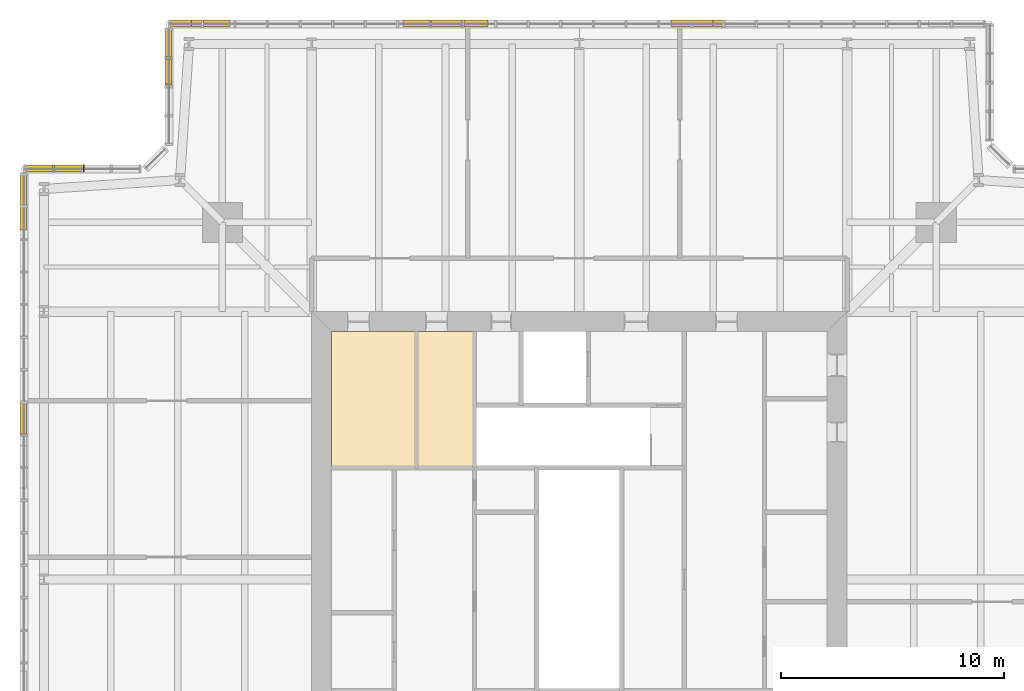
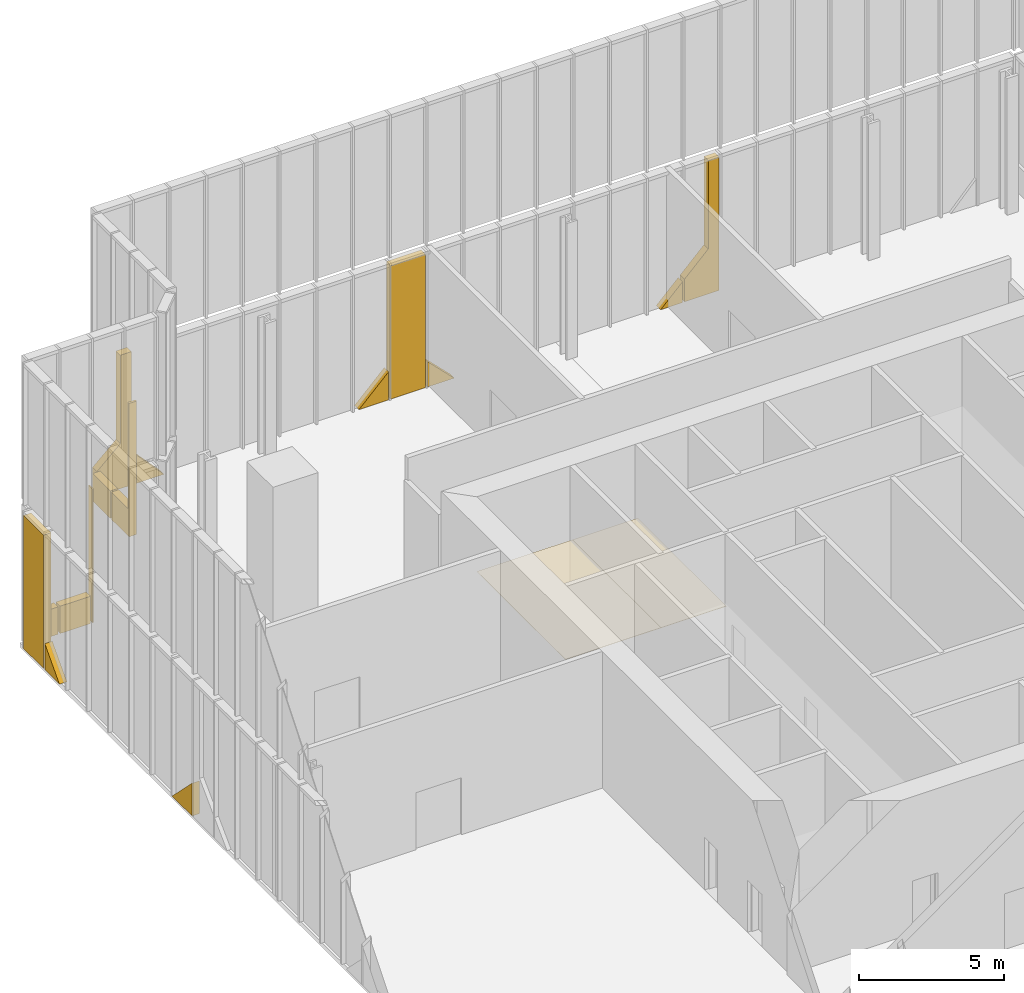
# One storey, part 23 of 25: 17 coverings.
"""IFC4 building model written with IfcOpenShell, lengths in metres."""

from ifc_helpers import new_model, si_unit, direction, frame, origin, place, context, subcontext, project, spatial, polyline, outline, extrude, material, layer, layer_set, type_object, element, save


model = new_model("IFC4")

# Units and contexts
model_context = context("Model", 3, precision=1e-05, world=origin(), true_north=direction((0.0, 1.0)))
body_context = subcontext(model_context, "Body", "Model", "MODEL_VIEW")
ifc_project = project(units=[si_unit("LENGTHUNIT", "METRE"), si_unit("AREAUNIT", "SQUARE_METRE"), si_unit("VOLUMEUNIT", "CUBIC_METRE"), si_unit("PLANEANGLEUNIT", "RADIAN"), si_unit("MASSUNIT", "GRAM", prefix="KILO")], contexts=[model_context])

# Site, building, storey
site_placement = place(None, origin())
site = spatial("IfcSite", under=ifc_project, at=site_placement, CompositionType="ELEMENT")
building_placement = place(site_placement, origin())
building = spatial("IfcBuilding", under=site, at=building_placement, Name="Fenwick Lantern Interchange", CompositionType="ELEMENT")
storey_placement = place(building_placement, frame((0.0, 0.0, 307.800048828125)))
storey = spatial("IfcBuildingStorey", under=building, at=storey_placement, Name="L74", CompositionType="ELEMENT", Elevation=307.800048828125)

# Coverings
ifc_material_1 = material(Name="Granite cladding, warm grey flamed finish, on aluminium carrier frame", Category="masonry")
ifc_layer_1 = layer(ifc_material_1, 0.300048828125)
ifc_layer_set_1 = layer_set([ifc_layer_1], Name="BRACE CASING PANEL 300")
covering_type_1 = type_object("IfcCoveringType", Name="BRACE CASING PANEL 300", PredefinedType="CLADDING", material=ifc_layer_set_1)
covering_1_placement = place(storey_placement, frame((43.39990234375, 49.89990234375, 0.0), z_axis=(0.0, 0.0, 1.0), x_axis=(-1.0, 0.0, 0.0)))
element("IfcCovering", 1, at=covering_1_placement, inside=storey, type_object=covering_type_1, Name="Brace casing 09 bay 08a", PredefinedType="CLADDING", context=body_context, shape_type="SweptSolid", body=[
    extrude(outline(polyline([(11.96630859375, 0.0), (13.34716796875, 0.0), (13.34716796875, 0.9482421875), (12.39990234375, 1.8955078125), (12.39990234375, 5.60986328125), (11.96630859375, 5.60986328125), (11.96630859375, 0.0)])), frame((0.0, 0.125, 0.0), z_axis=(0.0, -1.0, 0.0), x_axis=(1.0, 0.0, 0.0)), (0.0, 0.0, 1.0), 0.300048828125),
])
covering_2_placement = place(storey_placement, frame((43.39990234375, 49.89990234375, 0.0), z_axis=(0.0, 0.0, 1.0), x_axis=(-1.0, 0.0, 0.0)))
element("IfcCovering", 2, at=covering_2_placement, inside=storey, type_object=covering_type_1, Name="Brace casing 09 bay 09a", PredefinedType="CLADDING", context=body_context, shape_type="SweptSolid", body=[
    extrude(outline(polyline([(13.42724609375, 0.0), (14.295654296875, 0.0), (13.42724609375, 0.868408203125), (13.42724609375, 0.0)])), frame((0.0, 0.125, 0.0), z_axis=(0.0, -1.0, 0.0), x_axis=(1.0, 0.0, 0.0)), (0.0, 0.0, 1.0), 0.300048828125),
])
covering_3_placement = place(storey_placement, frame((43.39990234375, 49.89990234375, 0.0), z_axis=(0.0, 0.0, 1.0), x_axis=(-1.0, 0.0, 0.0)))
element("IfcCovering", 3, at=covering_3_placement, inside=storey, type_object=covering_type_1, Name="Brace casing 09 bay 15a", PredefinedType="CLADDING", context=body_context, shape_type="SweptSolid", body=[
    extrude(outline(polyline([(22.50439453125, 0.0), (23.57275390625, 0.0), (23.57275390625, 1.068359375), (22.50439453125, 0.0)])), frame((0.0, 0.125, 0.0), z_axis=(0.0, -1.0, 0.0), x_axis=(1.0, 0.0, 0.0)), (0.0, 0.0, 1.0), 0.300048828125),
])
covering_4_placement = place(storey_placement, frame((43.39990234375, 49.89990234375, 0.0), z_axis=(0.0, 0.0, 1.0), x_axis=(-1.0, 0.0, 0.0)))
element("IfcCovering", 4, at=covering_4_placement, inside=storey, type_object=covering_type_1, Name="Brace casing 09 bay 16a", PredefinedType="CLADDING", context=body_context, shape_type="SweptSolid", body=[
    extrude(outline(polyline([(23.65283203125, 0.0), (25.03369140625, 0.0), (25.03369140625, 5.60986328125), (23.65283203125, 5.60986328125), (23.65283203125, 0.0)])), frame((0.0, 0.125, 0.0), z_axis=(0.0, -1.0, 0.0), x_axis=(1.0, 0.0, 0.0)), (0.0, 0.0, 1.0), 0.300048828125),
])
covering_5_placement = place(storey_placement, frame((43.39990234375, 49.89990234375, 0.0), z_axis=(0.0, 0.0, 1.0), x_axis=(-1.0, 0.0, 0.0)))
element("IfcCovering", 5, at=covering_5_placement, inside=storey, type_object=covering_type_1, Name="Brace casing 09 bay 17a", PredefinedType="CLADDING", context=body_context, shape_type="SweptSolid", body=[
    extrude(outline(polyline([(25.113525390625, 0.0), (26.295654296875, 0.0), (25.113525390625, 1.181884765625), (25.113525390625, 0.0)])), frame((0.0, 0.125, 0.0), z_axis=(0.0, -1.0, 0.0), x_axis=(1.0, 0.0, 0.0)), (0.0, 0.0, 1.0), 0.300048828125),
])
covering_6_placement = place(storey_placement, frame((43.39990234375, 49.89990234375, 0.0), z_axis=(0.0, 0.0, 1.0), x_axis=(-1.0, 0.0, 0.0)))
element("IfcCovering", 6, at=covering_6_placement, inside=storey, type_object=covering_type_1, Name="Brace casing 09 bay 23a", PredefinedType="CLADDING", context=body_context, shape_type="SweptSolid", body=[
    extrude(outline(polyline([(34.053955078125, 0.0), (35.25927734375, 0.0), (35.25927734375, 1.314697265625), (34.053955078125, 0.0)])), frame((0.0, 0.125, 0.0), z_axis=(0.0, -1.0, 0.0), x_axis=(1.0, 0.0, 0.0)), (0.0, 0.0, 1.0), 0.300048828125),
])
covering_7_placement = place(storey_placement, frame((43.39990234375, 49.89990234375, 0.0), z_axis=(0.0, 0.0, 1.0), x_axis=(-1.0, 0.0, 0.0)))
element("IfcCovering", 7, at=covering_7_placement, inside=storey, type_object=covering_type_1, Name="Brace casing 09 bay 24a", PredefinedType="CLADDING", context=body_context, shape_type="SweptSolid", body=[
    extrude(outline(polyline([(35.339111328125, 0.0), (36.719970703125, 0.0), (36.719970703125, 1.0400390625), (35.789306640625, 1.89306640625), (35.789306640625, 5.60986328125), (35.339111328125, 5.60986328125), (35.339111328125, 0.0)])), frame((0.0, 0.125, 0.0), z_axis=(0.0, -1.0, 0.0), x_axis=(1.0, 0.0, 0.0)), (0.0, 0.0, 1.0), 0.300048828125),
])
covering_8_placement = place(storey_placement, frame((6.60009765625, 49.89990234375, 0.0), z_axis=(0.0, 0.0, 1.0), x_axis=(0.0, -1.0, 0.0)))
element("IfcCovering", 8, at=covering_8_placement, inside=storey, type_object=covering_type_1, Name="Brace casing 10 bay 00a", PredefinedType="CLADDING", context=body_context, shape_type="SweptSolid", body=[
    extrude(outline(polyline([(0.280029296875, 0.0), (1.490234375, 0.0), (1.490234375, 1.14990234375), (0.280029296875, 1.14990234375), (0.280029296875, 0.0)])), frame((0.0, 0.125, 0.0), z_axis=(0.0, -1.0, 0.0), x_axis=(1.0, 0.0, 0.0)), (0.0, 0.0, 1.0), 0.300048828125),
])
covering_9_placement = place(storey_placement, frame((6.60009765625, 49.89990234375, 0.0), z_axis=(0.0, 0.0, 1.0), x_axis=(0.0, -1.0, 0.0)))
element("IfcCovering", 9, at=covering_9_placement, inside=storey, type_object=covering_type_1, Name="Brace casing 10 bay 01a", PredefinedType="CLADDING", context=body_context, shape_type="SweptSolid", body=[
    extrude(outline(polyline([(1.5703125, 0.0), (2.78076171875, 0.0), (2.78076171875, 5.60986328125), (2.699951171875, 5.60986328125), (2.699951171875, 1.14990234375), (1.5703125, 1.14990234375), (1.5703125, 0.0)])), frame((0.0, 0.125, 0.0), z_axis=(0.0, -1.0, 0.0), x_axis=(1.0, 0.0, 0.0)), (0.0, 0.0, 1.0), 0.300048828125),
])
covering_10_placement = place(storey_placement, frame((5.54150390625, 43.39990234375, 0.0), z_axis=(0.0, 0.0, 1.0), x_axis=(-1.0, 0.0, 0.0)))
element("IfcCovering", 10, at=covering_10_placement, inside=storey, type_object=covering_type_1, Name="Brace casing 12 bay 01a", PredefinedType="CLADDING", context=body_context, shape_type="SweptSolid", body=[
    extrude(outline(polyline([(2.741455078125, 0.0), (2.78076171875, 0.0), (2.78076171875, 5.60986328125), (2.741455078125, 5.60986328125), (2.741455078125, 0.0)])), frame((0.0, 0.125, 0.0), z_axis=(0.0, -1.0, 0.0), x_axis=(1.0, 0.0, 0.0)), (0.0, 0.0, 1.0), 0.300048828125),
])
covering_11_placement = place(storey_placement, frame((5.54150390625, 43.39990234375, 0.0), z_axis=(0.0, 0.0, 1.0), x_axis=(-1.0, 0.0, 0.0)))
element("IfcCovering", 11, at=covering_11_placement, inside=storey, type_object=covering_type_1, Name="Brace casing 12 bay 02a", PredefinedType="CLADDING", context=body_context, shape_type="SweptSolid", body=[
    extrude(outline(polyline([(2.860595703125, 0.0), (4.071044921875, 0.0), (4.071044921875, 1.14990234375), (2.860595703125, 1.14990234375), (2.860595703125, 0.0)])), frame((0.0, 0.125, 0.0), z_axis=(0.0, -1.0, 0.0), x_axis=(1.0, 0.0, 0.0)), (0.0, 0.0, 1.0), 0.300048828125),
])
covering_12_placement = place(storey_placement, frame((5.54150390625, 43.39990234375, 0.0), z_axis=(0.0, 0.0, 1.0), x_axis=(-1.0, 0.0, 0.0)))
element("IfcCovering", 12, at=covering_12_placement, inside=storey, type_object=covering_type_1, Name="Brace casing 12 bay 03a", PredefinedType="CLADDING", context=body_context, shape_type="SweptSolid", body=[
    extrude(outline(polyline([(4.151123046875, 0.0), (5.361328125, 0.0), (5.361328125, 1.14990234375), (4.151123046875, 1.14990234375), (4.151123046875, 0.0)])), frame((0.0, 0.125, 0.0), z_axis=(0.0, -1.0, 0.0), x_axis=(1.0, 0.0, 0.0)), (0.0, 0.0, 1.0), 0.300048828125),
])
covering_13_placement = place(storey_placement, frame((0.10009765625, 43.39990234375, 0.0), z_axis=(0.0, 0.0, 1.0), x_axis=(0.0, -1.0, 0.0)))
element("IfcCovering", 13, at=covering_13_placement, inside=storey, type_object=covering_type_1, Name="Brace casing 13 bay 00a", PredefinedType="CLADDING", context=body_context, shape_type="SweptSolid", body=[
    extrude(outline(polyline([(0.280029296875, 0.0), (1.660888671875, 0.0), (1.660888671875, 5.60986328125), (0.280029296875, 5.60986328125), (0.280029296875, 0.0)])), frame((0.0, 0.125, 0.0), z_axis=(0.0, -1.0, 0.0), x_axis=(1.0, 0.0, 0.0)), (0.0, 0.0, 1.0), 0.300048828125),
])
covering_14_placement = place(storey_placement, frame((0.10009765625, 43.39990234375, 0.0), z_axis=(0.0, 0.0, 1.0), x_axis=(0.0, -1.0, 0.0)))
element("IfcCovering", 14, at=covering_14_placement, inside=storey, type_object=covering_type_1, Name="Brace casing 13 bay 01a", PredefinedType="CLADDING", context=body_context, shape_type="SweptSolid", body=[
    extrude(outline(polyline([(1.74072265625, 0.0), (2.74609375, 0.0), (1.74072265625, 1.096435546875), (1.74072265625, 0.0)])), frame((0.0, 0.125, 0.0), z_axis=(0.0, -1.0, 0.0), x_axis=(1.0, 0.0, 0.0)), (0.0, 0.0, 1.0), 0.300048828125),
])
covering_15_placement = place(storey_placement, frame((0.10009765625, 43.39990234375, 0.0), z_axis=(0.0, 0.0, 1.0), x_axis=(0.0, -1.0, 0.0)))
element("IfcCovering", 15, at=covering_15_placement, inside=storey, type_object=covering_type_1, Name="Brace casing 13 bay 07a", PredefinedType="CLADDING", context=body_context, shape_type="SweptSolid", body=[
    extrude(outline(polyline([(10.505615234375, 0.0), (11.886474609375, 0.0), (11.886474609375, 1.3818359375), (10.505615234375, 0.001220703125), (10.505615234375, 0.0)])), frame((0.0, 0.125, 0.0), z_axis=(0.0, -1.0, 0.0), x_axis=(1.0, 0.0, 0.0)), (0.0, 0.0, 1.0), 0.300048828125),
])
ifc_material_2 = material(Name="Moisture resistant gypsum board on suspended frame, painted")
ifc_layer_2 = layer(ifc_material_2, 0.014892578125)
ifc_layer_set_2 = layer_set([ifc_layer_2], Name="MOISTURE RESISTANT CEILING 15")
covering_type_2 = type_object("IfcCoveringType", Name="MOISTURE RESISTANT CEILING 15", PredefinedType="CEILING", material=ifc_layer_set_2)
covering_16_placement = place(storey_placement, frame((0.0, 0.0, 2.599853515625)))
element("IfcCovering", 16, at=covering_16_placement, inside=storey, type_object=covering_type_2, Name="Men's WC ceiling", PredefinedType="CEILING", context=body_context, shape_type="SweptSolid", body=[
    extrude(outline(polyline([(20.300048828125, 36.10009765625), (17.699951171875, 36.10009765625), (17.699951171875, 30.0), (20.300048828125, 30.0), (20.300048828125, 36.10009765625)])), origin(), (0.0, 0.0, 1.0), 0.01513671875),
])
covering_17_placement = place(storey_placement, frame((0.0, 0.0, 2.599853515625)))
element("IfcCovering", 17, at=covering_17_placement, inside=storey, type_object=covering_type_2, Name="Women's WC ceiling", PredefinedType="CEILING", context=body_context, shape_type="SweptSolid", body=[
    extrude(outline(polyline([(17.699951171875, 36.10009765625), (13.89990234375, 36.10009765625), (13.89990234375, 30.0), (17.699951171875, 30.0), (17.699951171875, 36.10009765625)])), origin(), (0.0, 0.0, 1.0), 0.01513671875),
])

save(model, "model.ifc")
